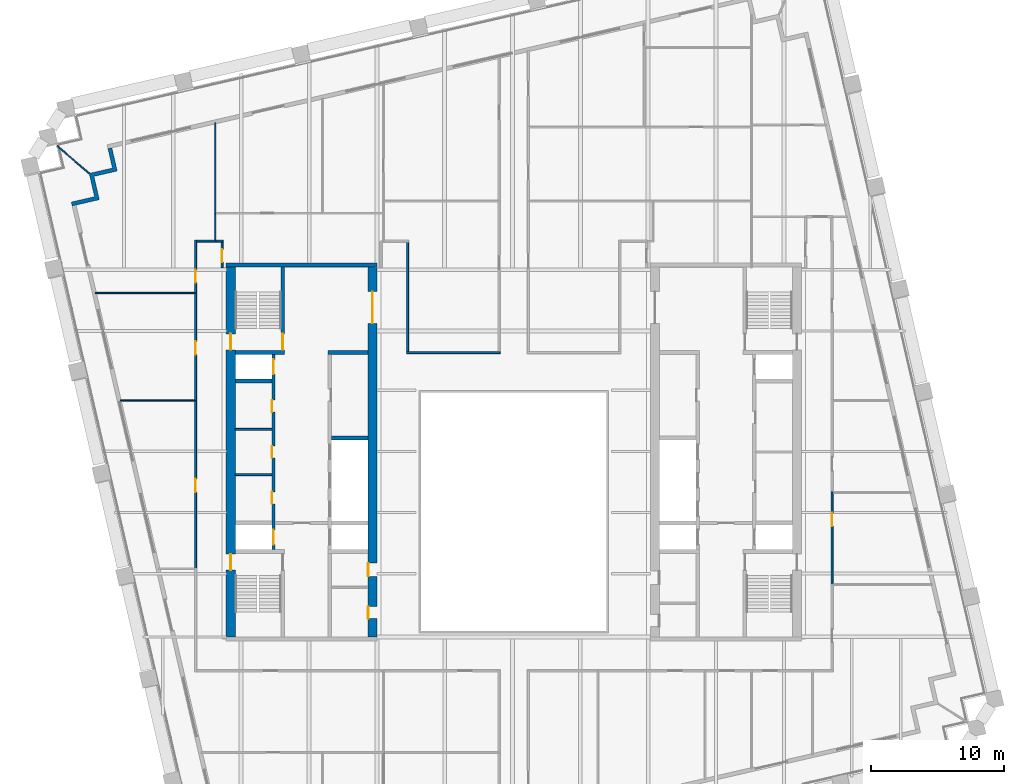
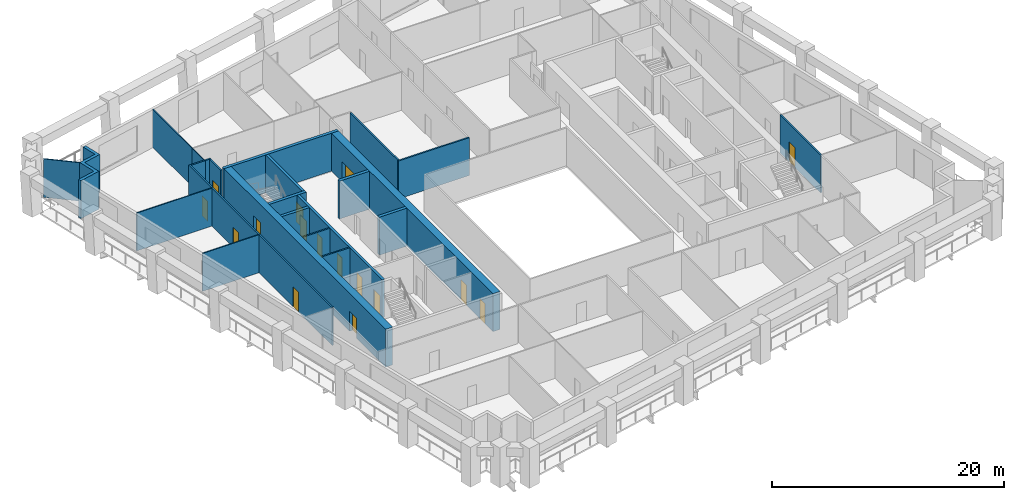
# One storey, part 6 of 11: 26 walls, 16 doors, 16 openings.
"""IFC4 building model written with IfcOpenShell, lengths in metres."""

from ifc_helpers import new_model, si_unit, direction, frame, frame_2d, origin, place, context, subcontext, project, spatial, polyline, rectangle, outline, extrude, material, layer, layer_set, type_object, element, fill, save


model = new_model("IFC4")

# Units and contexts
model_context = context("Model", 3, precision=1e-05, world=origin(), true_north=direction((0.0, 1.0)))
body_context = subcontext(model_context, "Body", "Model", "MODEL_VIEW")
ifc_project = project(units=[si_unit("LENGTHUNIT", "METRE"), si_unit("AREAUNIT", "SQUARE_METRE"), si_unit("VOLUMEUNIT", "CUBIC_METRE"), si_unit("PLANEANGLEUNIT", "RADIAN"), si_unit("MASSUNIT", "GRAM", prefix="KILO")], contexts=[model_context])

# Site, building, storey
site_placement = place(None, origin())
site = spatial("IfcSite", under=ifc_project, at=site_placement, CompositionType="ELEMENT")
building_placement = place(site_placement, origin())
building = spatial("IfcBuilding", under=site, at=building_placement, Name="Ogive Exchange Tower", CompositionType="ELEMENT")
storey_placement = place(building_placement, frame((0.0, 0.0, 175.800048828125)))
storey = spatial("IfcBuildingStorey", under=building, at=storey_placement, Name="L38", CompositionType="ELEMENT", Elevation=175.800048828125)

# Walls
ifc_material_1 = material(Name="Gypsum board partition")
ifc_layer_1 = layer(ifc_material_1, 0.14990234375)
ifc_layer_set_1 = layer_set([ifc_layer_1], Name="Core room partition 150 gypsum")
wall_type_1 = type_object("IfcWallType", Name="Core room partition 150 gypsum", PredefinedType="PARTITIONING", material=ifc_layer_set_1)
for number, where, z_axis, x_axis, name in (
    (1, (-21.0, 9.800048828125, 0.0), (0.0, 0.0, 1.0), (1.0, 0.0, 0.0), "W row A bay partition 1-1"),
    (2, (-21.0, 13.199951171875, 0.0), (0.0, 0.0, 1.0), (1.0, 0.0, 0.0), "W row A bay partition 1-2"),
):
    element("IfcWall", number, at=place(storey_placement, frame(where, z_axis=z_axis, x_axis=x_axis)), inside=storey, type_object=wall_type_1, Name=name, PredefinedType="PARTITIONING", context=body_context, shape_type="SweptSolid", body=[
        extrude(rectangle(XDim=2.75, YDim=0.14990234375, at=frame_2d((1.375, 0.0))), origin(), (0.0, 0.0, 1.0), 4.0),
    ])
ifc_layer_2 = layer(ifc_material_1, 0.300048828125)
ifc_layer_set_2 = layer_set([ifc_layer_2], Name="Core room partition 300 gypsum")
wall_type_2 = type_object("IfcWallType", Name="Core room partition 300 gypsum", PredefinedType="PARTITIONING", material=ifc_layer_set_2)
wall_1_placement = place(storey_placement, frame((-14.0, 19.0, 0.0), z_axis=(0.0, 0.0, 1.0), x_axis=(1.0, 0.0, 0.0)))
element("IfcWall", 3, at=wall_1_placement, inside=storey, type_object=wall_type_2, Name="W row B room end wall 7", PredefinedType="PARTITIONING", context=body_context, shape_type="SweptSolid", body=[
    extrude(rectangle(XDim=3.0, YDim=0.300048828125, at=frame_2d((1.5, 0.0))), origin(), (0.0, 0.0, 1.0), 4.0),
])

# Wall, opening, door
ifc_material_2 = material(Name="Fire partition EI 60 150")
ifc_layer_3 = layer(ifc_material_2, 0.14990234375)
ifc_layer_set_3 = layer_set([ifc_layer_3], Name="Fire partition EI 60 150")
wall_type_3 = type_object("IfcWallType", Name="Fire partition EI 60 150", PredefinedType="PARTITIONING", material=ifc_layer_set_3)
wall_2_placement = place(storey_placement, frame((-24.0, 2.68994140625, 0.0), z_axis=(0.0, 0.0, 1.0), x_axis=(0.0, 1.0, 0.0)))
wall_2 = element("IfcWall", 4, at=wall_2_placement, inside=storey, type_object=wall_type_3, Name="L38-PWL-003", PredefinedType="PARTITIONING", context=body_context, shape_type="SweptSolid", body=[
    extrude(rectangle(XDim=12.739990234375, YDim=0.14990234375, at=frame_2d((6.3701171875, 0.0))), origin(), (0.0, 0.0, 1.0), 4.0),
])
opening_1_placement = place(wall_2_placement, frame((5.7900390625, 0.0, 0.0)))
opening_1 = element("IfcOpeningElement", 5, at=opening_1_placement, cuts=wall_2, Name="Opening L38-I10", PredefinedType="OPENING", context=body_context, shape_type="SweptSolid", body=[
    extrude(rectangle(XDim=1.0, YDim=2.10009765625, at=frame_2d((0.5, 1.050048828125))), frame((0.0, 0.0849609375, 0.0), z_axis=(0.0, -1.0, 0.0), x_axis=(1.0, 0.0, 0.0)), (0.0, 0.0, 1.0), 0.169921875),
])
ifc_material_3 = material(Name="Fire door FD 30S 1000 x 2100")
door_type_1 = type_object("IfcDoorType", Name="Fire door FD 30S 1000 x 2100", OperationType="NOTDEFINED", PredefinedType="DOOR", material=ifc_material_3)
door_1_placement = place(opening_1_placement, origin())
door_1 = element("IfcDoor", 6, at=door_1_placement, inside=storey, type_object=door_type_1, Name="L38-IDR-010", ObjectType="DT3", OperationType="SINGLE_SWING_LEFT", OverallHeight=2.10009765625, OverallWidth=1.0, PredefinedType="DOOR", context=body_context, shape_type="SweptSolid", body=[
    extrude(rectangle(XDim=1.0, YDim=2.10009765625, at=frame_2d((0.5, 1.050048828125))), frame((0.0, 0.02490234375, 0.0), z_axis=(0.0, -1.0, 0.0), x_axis=(1.0, 0.0, 0.0)), (0.0, 0.0, 1.0), 0.050048828125),
])
fill(opening_1, door_1)

wall_3_placement = place(storey_placement, frame((-24.0, 15.3798828125, 0.0), z_axis=(0.0, 0.0, 1.0), x_axis=(0.0, 1.0, 0.0)))
wall_3 = element("IfcWall", 7, at=wall_3_placement, inside=storey, type_object=wall_type_3, Name="L38-PWL-005", PredefinedType="PARTITIONING", context=body_context, shape_type="SweptSolid", body=[
    extrude(rectangle(XDim=8.16015625, YDim=0.14990234375, at=frame_2d((4.080078125, 0.0))), origin(), (0.0, 0.0, 1.0), 4.0),
])
opening_2_placement = place(wall_3_placement, frame((3.4599609375, 0.0, 0.0)))
opening_2 = element("IfcOpeningElement", 8, at=opening_2_placement, cuts=wall_3, Name="Opening L38-I09", PredefinedType="OPENING", context=body_context, shape_type="SweptSolid", body=[
    extrude(rectangle(XDim=1.0, YDim=2.10009765625, at=frame_2d((0.5, 1.050048828125))), frame((0.0, 0.0849609375, 0.0), z_axis=(0.0, -1.0, 0.0), x_axis=(1.0, 0.0, 0.0)), (0.0, 0.0, 1.0), 0.169921875),
])
door_2_placement = place(opening_2_placement, origin())
door_2 = element("IfcDoor", 9, at=door_2_placement, inside=storey, type_object=door_type_1, Name="L38-IDR-009", ObjectType="DT3", OperationType="SINGLE_SWING_RIGHT", OverallHeight=2.10009765625, OverallWidth=1.0, PredefinedType="DOOR", context=body_context, shape_type="SweptSolid", body=[
    extrude(rectangle(XDim=1.0, YDim=2.10009765625, at=frame_2d((0.5, 1.050048828125))), frame((0.0, 0.02490234375, 0.0), z_axis=(0.0, -1.0, 0.0), x_axis=(1.0, 0.0, 0.0)), (0.0, 0.0, 1.0), 0.050048828125),
])
fill(opening_2, door_2)

wall_4_placement = place(storey_placement, frame((-24.0, 23.5400390625, 0.0), z_axis=(0.0, 0.0, 1.0), x_axis=(0.0, 1.0, 0.0)))
wall_4 = element("IfcWall", 10, at=wall_4_placement, inside=storey, type_object=wall_type_3, Name="L38-PWL-007", PredefinedType="PARTITIONING", context=body_context, shape_type="SweptSolid", body=[
    extrude(rectangle(XDim=3.93505859375, YDim=0.14990234375, at=frame_2d((1.967529296875, 0.0))), origin(), (0.0, 0.0, 1.0), 4.0),
])
opening_3_placement = place(wall_4_placement, frame((0.7099609375, 0.0, 0.0)))
opening_3 = element("IfcOpeningElement", 11, at=opening_3_placement, cuts=wall_4, Name="Opening L38-I08", PredefinedType="OPENING", context=body_context, shape_type="SweptSolid", body=[
    extrude(rectangle(XDim=1.0, YDim=2.10009765625, at=frame_2d((0.5, 1.050048828125))), frame((0.0, 0.0849609375, 0.0), z_axis=(0.0, -1.0, 0.0), x_axis=(1.0, 0.0, 0.0)), (0.0, 0.0, 1.0), 0.169921875),
])
door_3_placement = place(opening_3_placement, origin())
door_3 = element("IfcDoor", 12, at=door_3_placement, inside=storey, type_object=door_type_1, Name="L38-IDR-008", ObjectType="DT3", OperationType="SINGLE_SWING_RIGHT", OverallHeight=2.10009765625, OverallWidth=1.0, PredefinedType="DOOR", context=body_context, shape_type="SweptSolid", body=[
    extrude(rectangle(XDim=1.0, YDim=2.10009765625, at=frame_2d((0.5, 1.050048828125))), frame((0.0, 0.02490234375, 0.0), z_axis=(0.0, -1.0, 0.0), x_axis=(1.0, 0.0, 0.0)), (0.0, 0.0, 1.0), 0.050048828125),
])
fill(opening_3, door_3)

# Walls
wall_5_placement = place(storey_placement, frame((-23.925048828125, 27.39990234375, 0.0), z_axis=(0.0, 0.0, 1.0), x_axis=(1.0, 0.0, 0.0)))
element("IfcWall", 13, at=wall_5_placement, inside=storey, type_object=wall_type_3, Name="L38-PWL-008", PredefinedType="PARTITIONING", context=body_context, shape_type="SweptSolid", body=[
    extrude(rectangle(XDim=1.455078125, YDim=0.14990234375, at=frame_2d((0.7275390625, 0.0))), origin(), (0.0, 0.0, 1.0), 4.0),
])
wall_6_placement = place(storey_placement, frame((-22.469970703125, 27.39990234375, 0.0), z_axis=(0.0, 0.0, 1.0), x_axis=(1.0, 0.0, 0.0)))
element("IfcWall", 14, at=wall_6_placement, inside=storey, type_object=wall_type_3, Name="L38-PWL-010", PredefinedType="PARTITIONING", context=body_context, shape_type="SweptSolid", body=[
    extrude(rectangle(XDim=0.544921875, YDim=0.14990234375, at=frame_2d((0.2724609375, 0.0))), origin(), (0.0, 0.0, 1.0), 4.0),
])

# Wall, opening, door
wall_7_placement = place(storey_placement, frame((-22.0, 27.324951171875, 0.0), z_axis=(0.0, 0.0, 1.0), x_axis=(0.0, -1.0, 0.0)))
wall_7 = element("IfcWall", 15, at=wall_7_placement, inside=storey, type_object=wall_type_3, Name="L38-PWL-013", PredefinedType="PARTITIONING", context=body_context, shape_type="SweptSolid", body=[
    extrude(rectangle(XDim=1.925048828125, YDim=0.14990234375, at=frame_2d((0.96240234375, 0.0))), origin(), (0.0, 0.0, 1.0), 4.0),
])
opening_4_placement = place(wall_7_placement, frame((0.52490234375, 0.0, 0.0)))
opening_4 = element("IfcOpeningElement", 16, at=opening_4_placement, cuts=wall_7, Name="Opening L38-I05", PredefinedType="OPENING", context=body_context, shape_type="SweptSolid", body=[
    extrude(rectangle(XDim=1.0, YDim=2.10009765625, at=frame_2d((0.5, 1.050048828125))), frame((0.0, 0.0849609375, 0.0), z_axis=(0.0, -1.0, 0.0), x_axis=(1.0, 0.0, 0.0)), (0.0, 0.0, 1.0), 0.169921875),
])
door_4_placement = place(opening_4_placement, origin())
door_4 = element("IfcDoor", 17, at=door_4_placement, inside=storey, type_object=door_type_1, Name="L38-IDR-005", ObjectType="DT3", OperationType="SINGLE_SWING_RIGHT", OverallHeight=2.10009765625, OverallWidth=1.0, PredefinedType="DOOR", context=body_context, shape_type="SweptSolid", body=[
    extrude(rectangle(XDim=1.0, YDim=2.10009765625, at=frame_2d((0.5, 1.050048828125))), frame((0.0, 0.02490234375, 0.0), z_axis=(0.0, -1.0, 0.0), x_axis=(1.0, 0.0, 0.0)), (0.0, 0.0, 1.0), 0.050048828125),
])
fill(opening_4, door_4)

# Walls
wall_8_placement = place(storey_placement, frame((-8.074951171875, 19.0, 0.0), z_axis=(0.0, 0.0, 1.0), x_axis=(1.0, 0.0, 0.0)))
element("IfcWall", 18, at=wall_8_placement, inside=storey, type_object=wall_type_3, Name="L38-PWL-029", PredefinedType="PARTITIONING", context=body_context, shape_type="SweptSolid", body=[
    extrude(rectangle(XDim=7.050048828125, YDim=0.14990234375, at=frame_2d((3.52490234375, 0.0))), origin(), (0.0, 0.0, 1.0), 4.0),
])
wall_9_placement = place(storey_placement, frame((-8.0, 27.324951171875, 0.0), z_axis=(0.0, 0.0, 1.0), x_axis=(0.0, -1.0, 0.0)))
element("IfcWall", 19, at=wall_9_placement, inside=storey, type_object=wall_type_3, Name="L38-PWL-030", PredefinedType="PARTITIONING", context=body_context, shape_type="SweptSolid", body=[
    extrude(rectangle(XDim=8.25, YDim=0.14990234375, at=frame_2d((4.125, 0.0))), origin(), (0.0, 0.0, 1.0), 4.0),
])

# Wall, opening, door
wall_10_placement = place(storey_placement, frame((24.0, 8.5, 0.0), z_axis=(0.0, 0.0, 1.0), x_axis=(0.0, -1.0, 0.0)))
wall_10 = element("IfcWall", 20, at=wall_10_placement, inside=storey, type_object=wall_type_3, Name="L38-PWL-077", PredefinedType="PARTITIONING", context=body_context, shape_type="SweptSolid", body=[
    extrude(rectangle(XDim=6.989990234375, YDim=0.14990234375, at=frame_2d((3.4951171875, 0.0))), origin(), (0.0, 0.0, 1.0), 4.0),
])
opening_5_placement = place(wall_10_placement, frame((1.590087890625, 0.0, 0.0)))
opening_5 = element("IfcOpeningElement", 21, at=opening_5_placement, cuts=wall_10, Name="Opening L38-I20", PredefinedType="OPENING", context=body_context, shape_type="SweptSolid", body=[
    extrude(rectangle(XDim=1.0, YDim=2.10009765625, at=frame_2d((0.5, 1.050048828125))), frame((0.0, 0.0849609375, 0.0), z_axis=(0.0, -1.0, 0.0), x_axis=(1.0, 0.0, 0.0)), (0.0, 0.0, 1.0), 0.169921875),
])
door_5_placement = place(opening_5_placement, origin())
door_5 = element("IfcDoor", 22, at=door_5_placement, inside=storey, type_object=door_type_1, Name="L38-IDR-020", ObjectType="DT3", OperationType="SINGLE_SWING_RIGHT", OverallHeight=2.10009765625, OverallWidth=1.0, PredefinedType="DOOR", context=body_context, shape_type="SweptSolid", body=[
    extrude(rectangle(XDim=1.0, YDim=2.10009765625, at=frame_2d((0.5, 1.050048828125))), frame((0.0, 0.02490234375, 0.0), z_axis=(0.0, -1.0, 0.0), x_axis=(1.0, 0.0, 0.0)), (0.0, 0.0, 1.0), 0.050048828125),
])
fill(opening_5, door_5)

# Walls
ifc_material_4 = material(Name="Precast concrete C40/50", Category="concrete")
ifc_layer_4 = layer(ifc_material_4, 0.300048828125)
ifc_layer_set_4 = layer_set([ifc_layer_4], Name="Limestone-faced wall 300")
wall_type_4 = type_object("IfcWallType", Name="Limestone-faced wall 300", PredefinedType="STANDARD", material=ifc_layer_set_4)
wall_11_placement = place(storey_placement, origin())
element("IfcWall", 23, at=wall_11_placement, inside=storey, type_object=wall_type_4, Name="External corner wall C3", PredefinedType="STANDARD", context=body_context, shape_type="SweptSolid", body=[
    extrude(outline(polyline([(-31.616943359375, 30.755615234375), (-32.02197265625, 32.509521484375), (-30.26806640625, 32.914306640625), (-30.60546875, 34.3759765625), (-30.31298828125, 34.443359375), (-29.908203125, 32.689697265625), (-31.662109375, 32.28466796875), (-31.257080078125, 30.53076171875), (-33.30322265625, 30.058349609375), (-33.370849609375, 30.3505859375), (-31.616943359375, 30.755615234375)])), origin(), (0.0, 0.0, 1.0), 4.0),
])
ifc_material_5 = material(Name="Laminated safety glass in steel frame", Category="steel")
ifc_layer_5 = layer(ifc_material_5, 0.10009765625)
ifc_layer_set_5 = layer_set([ifc_layer_5], Name="Loggia end screen 100")
wall_type_5 = type_object("IfcWallType", Name="Loggia end screen 100", PredefinedType="STANDARD", material=ifc_layer_set_5)
wall_12_placement = place(storey_placement, frame((-32.02197265625, 32.509521484375, -0.050048828125), z_axis=(0.0, 0.0, 1.0), x_axis=(-0.759093860455, 0.650981190988, 0.0)))
element("IfcWall", 24, at=wall_12_placement, inside=storey, type_object=wall_type_5, Name="Loggia end screen C3", PredefinedType="STANDARD", context=body_context, shape_type="SweptSolid", body=[
    extrude(rectangle(XDim=3.17724609375, YDim=0.10009765625, at=frame_2d((1.588623046875, 0.0))), origin(), (0.0, 0.0, 1.0), 4.050048828125),
])
ifc_material_6 = material(Name="Partition 100 gypsum")
ifc_layer_6 = layer(ifc_material_6, 0.10009765625)
ifc_layer_set_6 = layer_set([ifc_layer_6], Name="Partition 100 gypsum")
wall_type_6 = type_object("IfcWallType", Name="Partition 100 gypsum", PredefinedType="PARTITIONING", material=ifc_layer_set_6)
wall_13_placement = place(storey_placement, frame((-24.074951171875, 15.3798828125, 0.0), z_axis=(0.0, 0.0, 1.0), x_axis=(-1.0, 0.0, 0.0)))
element("IfcWall", 25, at=wall_13_placement, inside=storey, type_object=wall_type_6, Name="L38-PWL-004", PredefinedType="PARTITIONING", context=body_context, shape_type="SweptSolid", body=[
    extrude(rectangle(XDim=5.614013671875, YDim=0.10009765625, at=frame_2d((2.80712890625, 0.0))), origin(), (0.0, 0.0, 1.0), 4.0),
])
wall_14_placement = place(storey_placement, frame((-24.074951171875, 23.489990234375, 0.0), z_axis=(0.0, 0.0, 1.0), x_axis=(-1.0, 0.0, 0.0)))
element("IfcWall", 26, at=wall_14_placement, inside=storey, type_object=wall_type_6, Name="L38-PWL-006", PredefinedType="PARTITIONING", context=body_context, shape_type="SweptSolid", body=[
    extrude(rectangle(XDim=7.487060546875, YDim=0.10009765625, at=frame_2d((3.74365234375, 0.0))), origin(), (0.0, 0.0, 1.0), 4.0),
])
wall_15_placement = place(storey_placement, frame((-22.52001953125, 27.47509765625, 0.0), z_axis=(0.0, 0.0, 1.0), x_axis=(0.0, 1.0, 0.0)))
element("IfcWall", 27, at=wall_15_placement, inside=storey, type_object=wall_type_6, Name="L38-PWL-009", PredefinedType="PARTITIONING", context=body_context, shape_type="SweptSolid", body=[
    extrude(rectangle(XDim=1.974853515625, YDim=0.10009765625, at=frame_2d((0.9873046875, 0.0))), origin(), (0.0, 0.0, 1.0), 4.0),
])
wall_16_placement = place(storey_placement, frame((-22.52001953125, 29.449951171875, 0.0), z_axis=(0.0, 0.0, 1.0), x_axis=(0.0, 1.0, 0.0)))
element("IfcWall", 28, at=wall_16_placement, inside=storey, type_object=wall_type_6, Name="L38-PWL-011", PredefinedType="PARTITIONING", context=body_context, shape_type="SweptSolid", body=[
    extrude(rectangle(XDim=6.875, YDim=0.10009765625, at=frame_2d((3.4375, 0.0))), origin(), (0.0, 0.0, 1.0), 4.0),
])

# Wall, opening, door
ifc_material_7 = material(Name="Concrete C70/85", Category="concrete")
ifc_layer_7 = layer(ifc_material_7, 0.25)
ifc_layer_set_7 = layer_set([ifc_layer_7], Name="RC core wall 250 C70/85")
wall_type_7 = type_object("IfcWallType", Name="RC core wall 250 C70/85", PredefinedType="SHEAR", material=ifc_layer_set_7)
wall_17_placement = place(storey_placement, frame((-17.425048828125, 19.14990234375, 0.0), z_axis=(0.0, 0.0, 1.0), x_axis=(0.0, 1.0, 0.0)))
wall_17 = element("IfcWall", 29, at=wall_17_placement, inside=storey, type_object=wall_type_7, Name="W stair N front wall", PredefinedType="SHEAR", context=body_context, shape_type="SweptSolid", body=[
    extrude(rectangle(XDim=6.300048828125, YDim=0.25, at=frame_2d((3.14990234375, 0.0))), origin(), (0.0, 0.0, 1.0), 4.0),
])
opening_6_placement = place(wall_17_placement, frame((0.050048828125, 0.0, 0.0)))
opening_6 = element("IfcOpeningElement", 30, at=opening_6_placement, cuts=wall_17, Name="Opening L38-C15", PredefinedType="OPENING", context=body_context, shape_type="SweptSolid", body=[
    extrude(rectangle(XDim=1.199951171875, YDim=2.10009765625, at=frame_2d((0.60009765625, 1.050048828125))), frame((0.0, 0.135009765625, 0.0), z_axis=(0.0, -1.0, 0.0), x_axis=(1.0, 0.0, 0.0)), (0.0, 0.0, 1.0), 0.27001953125),
])
ifc_material_8 = material(Name="Steel fire door", Category="steel")
door_type_2 = type_object("IfcDoorType", Name="Stair door FD90 1200 x 2100", OperationType="NOTDEFINED", PredefinedType="DOOR", material=ifc_material_8)
door_6_placement = place(opening_6_placement, origin())
door_6 = element("IfcDoor", 31, at=door_6_placement, inside=storey, type_object=door_type_2, Name="Stair door", ObjectType="CD5", OperationType="SINGLE_SWING_RIGHT", OverallHeight=2.10009765625, OverallWidth=1.199951171875, PredefinedType="DOOR", context=body_context, shape_type="SweptSolid", body=[
    extrude(rectangle(XDim=1.199951171875, YDim=2.10009765625, at=frame_2d((0.60009765625, 1.050048828125))), frame((0.0, 0.02490234375, 0.0), z_axis=(0.0, -1.0, 0.0), x_axis=(1.0, 0.0, 0.0)), (0.0, 0.0, 1.0), 0.050048828125),
])
fill(opening_6, door_6)

# Wall, openings, doors
wall_18_placement = place(storey_placement, frame((-18.125, 4.14990234375, 0.0), z_axis=(0.0, 0.0, 1.0), x_axis=(0.0, 1.0, 0.0)))
wall_18 = element("IfcWall", 32, at=wall_18_placement, inside=storey, type_object=wall_type_7, Name="W row A front wall", PredefinedType="SHEAR", context=body_context, shape_type="SweptSolid", body=[
    extrude(rectangle(XDim=14.7001953125, YDim=0.25, at=frame_2d((7.35009765625, 0.0))), origin(), (0.0, 0.0, 1.0), 4.0),
])
opening_7_placement = place(wall_18_placement, frame((3.4462890625, 0.0, 0.0)))
opening_7 = element("IfcOpeningElement", 33, at=opening_7_placement, cuts=wall_18, Name="Opening L38-C01", PredefinedType="OPENING", context=body_context, shape_type="SweptSolid", body=[
    extrude(rectangle(XDim=0.89990234375, YDim=2.10009765625, at=frame_2d((0.449951171875, 1.050048828125))), frame((0.0, 0.135009765625, 0.0), z_axis=(0.0, -1.0, 0.0), x_axis=(1.0, 0.0, 0.0)), (0.0, 0.0, 1.0), 0.27001953125),
])
opening_8_placement = place(wall_18_placement, frame((6.89990234375, 0.0, 0.0)))
opening_8 = element("IfcOpeningElement", 34, at=opening_8_placement, cuts=wall_18, Name="Opening L38-C02", PredefinedType="OPENING", context=body_context, shape_type="SweptSolid", body=[
    extrude(rectangle(XDim=0.89990234375, YDim=2.10009765625, at=frame_2d((0.449951171875, 1.050048828125))), frame((0.0, 0.135009765625, 0.0), z_axis=(0.0, -1.0, 0.0), x_axis=(1.0, 0.0, 0.0)), (0.0, 0.0, 1.0), 0.27001953125),
])
opening_9_placement = place(wall_18_placement, frame((10.353515625, 0.0, 0.0)))
opening_9 = element("IfcOpeningElement", 35, at=opening_9_placement, cuts=wall_18, Name="Opening L38-C03", PredefinedType="OPENING", context=body_context, shape_type="SweptSolid", body=[
    extrude(rectangle(XDim=0.89990234375, YDim=2.10009765625, at=frame_2d((0.449951171875, 1.050048828125))), frame((0.0, 0.135009765625, 0.0), z_axis=(0.0, -1.0, 0.0), x_axis=(1.0, 0.0, 0.0)), (0.0, 0.0, 1.0), 0.27001953125),
])
opening_10_placement = place(wall_18_placement, frame((0.371337890625, 0.0, 0.0)))
opening_10 = element("IfcOpeningElement", 36, at=opening_10_placement, cuts=wall_18, Name="Opening L38-C04", PredefinedType="OPENING", context=body_context, shape_type="SweptSolid", body=[
    extrude(rectangle(XDim=1.10009765625, YDim=2.10009765625, at=frame_2d((0.550048828125, 1.050048828125))), frame((0.0, 0.135009765625, 0.0), z_axis=(0.0, -1.0, 0.0), x_axis=(1.0, 0.0, 0.0)), (0.0, 0.0, 1.0), 0.27001953125),
])
opening_11_placement = place(wall_18_placement, frame((13.228515625, 0.0, 0.0)))
opening_11 = element("IfcOpeningElement", 37, at=opening_11_placement, cuts=wall_18, Name="Opening L38-C05", PredefinedType="OPENING", context=body_context, shape_type="SweptSolid", body=[
    extrude(rectangle(XDim=1.10009765625, YDim=2.10009765625, at=frame_2d((0.550048828125, 1.050048828125))), frame((0.0, 0.135009765625, 0.0), z_axis=(0.0, -1.0, 0.0), x_axis=(1.0, 0.0, 0.0)), (0.0, 0.0, 1.0), 0.27001953125),
])
ifc_material_9 = material(Name="Stainless steel", Category="steel")
door_type_3 = type_object("IfcDoorType", Name="Lift landing door FD90 1100 x 2100", OperationType="SLIDING_TO_LEFT", PredefinedType="DOOR", material=ifc_material_9)
door_7_placement = place(opening_10_placement, origin())
door_7 = element("IfcDoor", 38, at=door_7_placement, inside=storey, type_object=door_type_3, Name="Lift landing door FF1", ObjectType="LD", OperationType="SLIDING_TO_LEFT", OverallHeight=2.10009765625, OverallWidth=1.10009765625, PredefinedType="DOOR", context=body_context, shape_type="SweptSolid", body=[
    extrude(rectangle(XDim=1.10009765625, YDim=2.10009765625, at=frame_2d((0.550048828125, 1.050048828125))), frame((0.0, 0.02490234375, 0.0), z_axis=(0.0, -1.0, 0.0), x_axis=(1.0, 0.0, 0.0)), (0.0, 0.0, 1.0), 0.050048828125),
])
fill(opening_10, door_7)
door_8_placement = place(opening_11_placement, origin())
door_8 = element("IfcDoor", 39, at=door_8_placement, inside=storey, type_object=door_type_3, Name="Lift landing door W-SH2", ObjectType="LD", OperationType="SLIDING_TO_LEFT", OverallHeight=2.10009765625, OverallWidth=1.10009765625, PredefinedType="DOOR", context=body_context, shape_type="SweptSolid", body=[
    extrude(rectangle(XDim=1.10009765625, YDim=2.10009765625, at=frame_2d((0.550048828125, 1.050048828125))), frame((0.0, 0.02490234375, 0.0), z_axis=(0.0, -1.0, 0.0), x_axis=(1.0, 0.0, 0.0)), (0.0, 0.0, 1.0), 0.050048828125),
])
fill(opening_11, door_8)
door_type_4 = type_object("IfcDoorType", Name="Riser door FD60 900 x 2100", OperationType="NOTDEFINED", PredefinedType="DOOR", material=ifc_material_8)
door_9_placement = place(opening_7_placement, origin())
door_9 = element("IfcDoor", 40, at=door_9_placement, inside=storey, type_object=door_type_4, Name="Riser door", ObjectType="CD2", OperationType="SINGLE_SWING_RIGHT", OverallHeight=2.10009765625, OverallWidth=0.89990234375, PredefinedType="DOOR", context=body_context, shape_type="SweptSolid", body=[
    extrude(rectangle(XDim=0.89990234375, YDim=2.10009765625, at=frame_2d((0.449951171875, 1.050048828125))), frame((0.0, 0.125, 0.0), z_axis=(0.0, -1.0, 0.0), x_axis=(1.0, 0.0, 0.0)), (0.0, 0.0, 1.0), 0.050048828125),
])
fill(opening_7, door_9)
door_10_placement = place(opening_8_placement, origin())
door_10 = element("IfcDoor", 41, at=door_10_placement, inside=storey, type_object=door_type_4, Name="Riser door", ObjectType="CD2", OperationType="SINGLE_SWING_RIGHT", OverallHeight=2.10009765625, OverallWidth=0.89990234375, PredefinedType="DOOR", context=body_context, shape_type="SweptSolid", body=[
    extrude(rectangle(XDim=0.89990234375, YDim=2.10009765625, at=frame_2d((0.449951171875, 1.050048828125))), frame((0.0, 0.125, 0.0), z_axis=(0.0, -1.0, 0.0), x_axis=(1.0, 0.0, 0.0)), (0.0, 0.0, 1.0), 0.050048828125),
])
fill(opening_8, door_10)
door_11_placement = place(opening_9_placement, origin())
door_11 = element("IfcDoor", 42, at=door_11_placement, inside=storey, type_object=door_type_4, Name="Riser door", ObjectType="CD2", OperationType="SINGLE_SWING_RIGHT", OverallHeight=2.10009765625, OverallWidth=0.89990234375, PredefinedType="DOOR", context=body_context, shape_type="SweptSolid", body=[
    extrude(rectangle(XDim=0.89990234375, YDim=2.10009765625, at=frame_2d((0.449951171875, 1.050048828125))), frame((0.0, 0.125, 0.0), z_axis=(0.0, -1.0, 0.0), x_axis=(1.0, 0.0, 0.0)), (0.0, 0.0, 1.0), 0.050048828125),
])
fill(opening_9, door_11)

# Walls
ifc_layer_8 = layer(ifc_material_7, 0.300048828125)
ifc_layer_set_8 = layer_set([ifc_layer_8], Name="RC core wall 300 C70/85")
wall_type_8 = type_object("IfcWallType", Name="RC core wall 300 C70/85", PredefinedType="SHEAR", material=ifc_layer_set_8)
wall_19_placement = place(storey_placement, frame((-21.699951171875, 25.60009765625, 0.0), z_axis=(0.0, 0.0, 1.0), x_axis=(1.0, 0.0, 0.0)))
element("IfcWall", 43, at=wall_19_placement, inside=storey, type_object=wall_type_8, Name="W north end wall", PredefinedType="SHEAR", context=body_context, shape_type="SweptSolid", body=[
    extrude(rectangle(XDim=11.39990234375, YDim=0.300048828125, at=frame_2d((5.699951171875, 0.0))), origin(), (0.0, 0.0, 1.0), 4.0),
])
wall_20_placement = place(storey_placement, frame((-21.0, 19.0, 0.0), z_axis=(0.0, 0.0, 1.0), x_axis=(1.0, 0.0, 0.0)))
element("IfcWall", 44, at=wall_20_placement, inside=storey, type_object=wall_type_8, Name="W stair N south wall", PredefinedType="SHEAR", context=body_context, shape_type="SweptSolid", body=[
    extrude(rectangle(XDim=3.699951171875, YDim=0.300048828125, at=frame_2d((1.85009765625, 0.0))), origin(), (0.0, 0.0, 1.0), 4.0),
])
for number, where, z_axis, x_axis, name in (
    (45, (-21.0, 16.857177734375, 0.0), (0.0, 0.0, 1.0), (1.0, 0.0, 0.0), "W row A divider 6"),
    (46, (-13.75, 12.5712890625, 0.0), (0.0, 0.0, 1.0), (1.0, 0.0, 0.0), "W row B divider 4"),
):
    element("IfcWall", number, at=place(storey_placement, frame(where, z_axis=z_axis, x_axis=x_axis)), inside=storey, type_object=wall_type_8, Name=name, PredefinedType="SHEAR", context=body_context, shape_type="SweptSolid", body=[
        extrude(rectangle(XDim=2.75, YDim=0.300048828125, at=frame_2d((1.375, 0.0))), origin(), (0.0, 0.0, 1.0), 4.0),
    ])

# Wall, openings, doors
ifc_layer_9 = layer(ifc_material_7, 0.699951171875)
ifc_layer_set_9 = layer_set([ifc_layer_9], Name="RC core wall 700 C70/85")
wall_type_9 = type_object("IfcWallType", Name="RC core wall 700 C70/85", PredefinedType="SHEAR", material=ifc_layer_set_9)
wall_21_placement = place(storey_placement, frame((-21.35009765625, -2.449951171875, 0.0), z_axis=(0.0, 0.0, 1.0), x_axis=(0.0, 1.0, 0.0)))
wall_21 = element("IfcWall", 47, at=wall_21_placement, inside=storey, type_object=wall_type_9, Name="W outer wall", PredefinedType="SHEAR", context=body_context, shape_type="SweptSolid", body=[
    extrude(rectangle(XDim=27.89990234375, YDim=0.699951171875, at=frame_2d((13.949951171875, 0.0))), origin(), (0.0, 0.0, 1.0), 4.0),
])
opening_12_placement = place(wall_21_placement, frame((5.050048828125, 0.0, 0.0)))
opening_12 = element("IfcOpeningElement", 48, at=opening_12_placement, cuts=wall_21, Name="Opening L38-C14", PredefinedType="OPENING", context=body_context, shape_type="SweptSolid", body=[
    extrude(rectangle(XDim=1.199951171875, YDim=2.10009765625, at=frame_2d((0.60009765625, 1.050048828125))), frame((0.0, 0.35986328125, 0.0), z_axis=(0.0, -1.0, 0.0), x_axis=(1.0, 0.0, 0.0)), (0.0, 0.0, 1.0), 0.719970703125),
])
opening_13_placement = place(wall_21_placement, frame((21.64990234375, 0.0, 0.0)))
opening_13 = element("IfcOpeningElement", 49, at=opening_13_placement, cuts=wall_21, Name="Opening L38-C16", PredefinedType="OPENING", context=body_context, shape_type="SweptSolid", body=[
    extrude(rectangle(XDim=1.199951171875, YDim=2.10009765625, at=frame_2d((0.60009765625, 1.050048828125))), frame((0.0, 0.35986328125, 0.0), z_axis=(0.0, -1.0, 0.0), x_axis=(1.0, 0.0, 0.0)), (0.0, 0.0, 1.0), 0.719970703125),
])
door_12_placement = place(opening_12_placement, frame((1.199951171875, 0.0, 0.0), z_axis=(0.0, 0.0, 1.0), x_axis=(-1.0, 0.0, 0.0)))
door_12 = element("IfcDoor", 50, at=door_12_placement, inside=storey, type_object=door_type_2, Name="Stair door", ObjectType="CD5", OperationType="SINGLE_SWING_RIGHT", OverallHeight=2.10009765625, OverallWidth=1.199951171875, PredefinedType="DOOR", context=body_context, shape_type="SweptSolid", body=[
    extrude(rectangle(XDim=1.199951171875, YDim=2.10009765625, at=frame_2d((0.60009765625, 1.050048828125))), frame((0.0, 0.02490234375, 0.0), z_axis=(0.0, -1.0, 0.0), x_axis=(1.0, 0.0, 0.0)), (0.0, 0.0, 1.0), 0.050048828125),
])
fill(opening_12, door_12)
door_13_placement = place(opening_13_placement, frame((1.199951171875, 0.0, 0.0), z_axis=(0.0, 0.0, 1.0), x_axis=(-1.0, 0.0, 0.0)))
door_13 = element("IfcDoor", 51, at=door_13_placement, inside=storey, type_object=door_type_2, Name="Stair door", ObjectType="CD5", OperationType="SINGLE_SWING_LEFT", OverallHeight=2.10009765625, OverallWidth=1.199951171875, PredefinedType="DOOR", context=body_context, shape_type="SweptSolid", body=[
    extrude(rectangle(XDim=1.199951171875, YDim=2.10009765625, at=frame_2d((0.60009765625, 1.050048828125))), frame((0.0, 0.02490234375, 0.0), z_axis=(0.0, -1.0, 0.0), x_axis=(1.0, 0.0, 0.0)), (0.0, 0.0, 1.0), 0.050048828125),
])
fill(opening_13, door_13)

wall_22_placement = place(storey_placement, frame((-10.64990234375, -2.449951171875, 0.0), z_axis=(0.0, 0.0, 1.0), x_axis=(0.0, 1.0, 0.0)))
wall_22 = element("IfcWall", 52, at=wall_22_placement, inside=storey, type_object=wall_type_9, Name="W inner wall", PredefinedType="SHEAR", context=body_context, shape_type="SweptSolid", body=[
    extrude(rectangle(XDim=27.89990234375, YDim=0.699951171875, at=frame_2d((13.949951171875, 0.0))), origin(), (0.0, 0.0, 1.0), 4.0),
])
opening_14_placement = place(wall_22_placement, frame((23.64990234375, 0.0, 0.0)))
opening_14 = element("IfcOpeningElement", 53, at=opening_14_placement, cuts=wall_22, Name="Opening L38-C12", PredefinedType="OPENING", context=body_context, shape_type="SweptSolid", body=[
    extrude(rectangle(XDim=2.39990234375, YDim=2.10009765625, at=frame_2d((1.199951171875, 1.050048828125))), frame((0.0, 0.35986328125, 0.0), z_axis=(0.0, -1.0, 0.0), x_axis=(1.0, 0.0, 0.0)), (0.0, 0.0, 1.0), 0.719970703125),
])
opening_15_placement = place(wall_22_placement, frame((1.387451171875, 0.0, 0.0)))
opening_15 = element("IfcOpeningElement", 54, at=opening_15_placement, cuts=wall_22, Name="Opening L38-C17", PredefinedType="OPENING", context=body_context, shape_type="SweptSolid", body=[
    extrude(rectangle(XDim=0.89990234375, YDim=2.10009765625, at=frame_2d((0.449951171875, 1.050048828125))), frame((0.0, 0.35986328125, 0.0), z_axis=(0.0, -1.0, 0.0), x_axis=(1.0, 0.0, 0.0)), (0.0, 0.0, 1.0), 0.719970703125),
])
opening_16_placement = place(wall_22_placement, frame((4.5625, 0.0, 0.0)))
opening_16 = element("IfcOpeningElement", 55, at=opening_16_placement, cuts=wall_22, Name="Opening L38-C18", PredefinedType="OPENING", context=body_context, shape_type="SweptSolid", body=[
    extrude(rectangle(XDim=1.0, YDim=2.10009765625, at=frame_2d((0.5, 1.050048828125))), frame((0.0, 0.35986328125, 0.0), z_axis=(0.0, -1.0, 0.0), x_axis=(1.0, 0.0, 0.0)), (0.0, 0.0, 1.0), 0.719970703125),
])
ifc_material_10 = material(Name="Timber fire door", Category="wood")
door_type_5 = type_object("IfcDoorType", Name="Accessible WC door FD30S 1000 x 2100", OperationType="NOTDEFINED", PredefinedType="DOOR", material=ifc_material_10)
door_14_placement = place(opening_16_placement, origin())
door_14 = element("IfcDoor", 56, at=door_14_placement, inside=storey, type_object=door_type_5, Name="Accessible WC door", ObjectType="CD7", OperationType="SINGLE_SWING_LEFT", OverallHeight=2.10009765625, OverallWidth=1.0, PredefinedType="DOOR", context=body_context, shape_type="SweptSolid", body=[
    extrude(rectangle(XDim=1.0, YDim=2.10009765625, at=frame_2d((0.5, 1.050048828125))), frame((0.0, 0.35009765625, 0.0), z_axis=(0.0, -1.0, 0.0), x_axis=(1.0, 0.0, 0.0)), (0.0, 0.0, 1.0), 0.050048828125),
])
fill(opening_16, door_14)
door_type_6 = type_object("IfcDoorType", Name="Core room door FD30S 900 x 2100", OperationType="NOTDEFINED", PredefinedType="DOOR", material=ifc_material_10)
door_15_placement = place(opening_15_placement, origin())
door_15 = element("IfcDoor", 57, at=door_15_placement, inside=storey, type_object=door_type_6, Name="Core room door", ObjectType="CD6", OperationType="SINGLE_SWING_RIGHT", OverallHeight=2.10009765625, OverallWidth=0.89990234375, PredefinedType="DOOR", context=body_context, shape_type="SweptSolid", body=[
    extrude(rectangle(XDim=0.89990234375, YDim=2.10009765625, at=frame_2d((0.449951171875, 1.050048828125))), frame((0.0, 0.35009765625, 0.0), z_axis=(0.0, -1.0, 0.0), x_axis=(1.0, 0.0, 0.0)), (0.0, 0.0, 1.0), 0.050048828125),
])
fill(opening_15, door_15)
ifc_material_11 = material(Name="Glazed steel fire door", Category="steel")
door_type_7 = type_object("IfcDoorType", Name="Lift lobby double door FD60 2400 x 2100", OperationType="DOUBLE_DOOR_SINGLE_SWING", PredefinedType="DOOR", material=ifc_material_11)
door_16_placement = place(opening_14_placement, frame((2.39990234375, 0.0, 0.0), z_axis=(0.0, 0.0, 1.0), x_axis=(-1.0, 0.0, 0.0)))
door_16 = element("IfcDoor", 58, at=door_16_placement, inside=storey, type_object=door_type_7, Name="Lift lobby double door", ObjectType="CD4", OperationType="DOUBLE_DOOR_SINGLE_SWING", OverallHeight=2.10009765625, OverallWidth=2.39990234375, PredefinedType="DOOR", context=body_context, shape_type="SweptSolid", body=[
    extrude(rectangle(XDim=2.39990234375, YDim=2.10009765625, at=frame_2d((1.199951171875, 1.050048828125))), frame((0.0, 0.02490234375, 0.0), z_axis=(0.0, -1.0, 0.0), x_axis=(1.0, 0.0, 0.0)), (0.0, 0.0, 1.0), 0.050048828125),
])
fill(opening_14, door_16)

save(model, "model.ifc")
